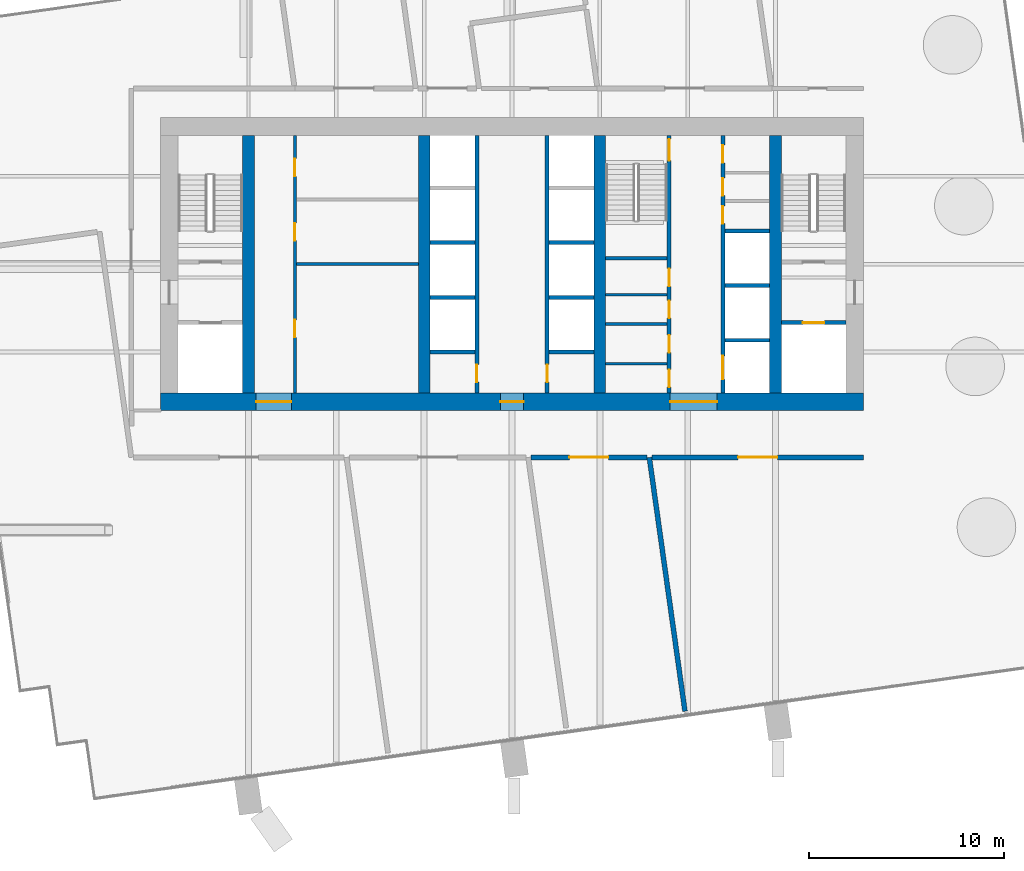
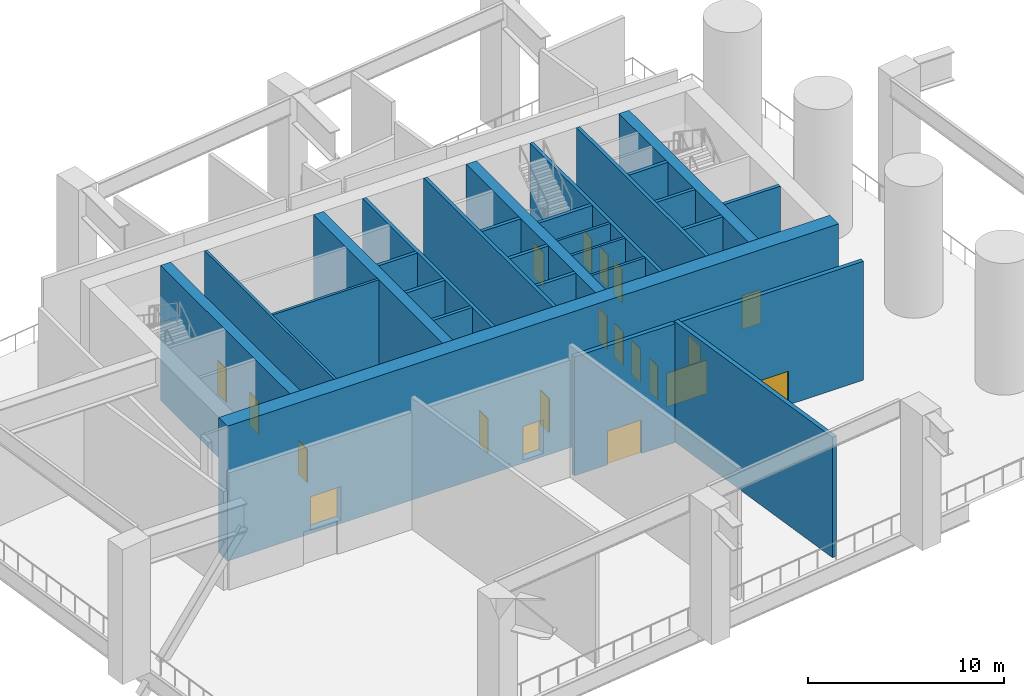
# One storey, part 3 of 13: 28 walls, 20 doors, 20 openings.
"""IFC4 building model written with IfcOpenShell, lengths in metres."""

from ifc_helpers import new_model, si_unit, direction, frame, frame_2d, origin, place, context, subcontext, project, spatial, rectangle, extrude, material, layer, layer_set, type_object, element, fill, save


model = new_model("IFC4")

# Units and contexts
model_context = context("Model", 3, precision=1e-05, world=origin(), true_north=direction((0.0, 1.0)))
body_context = subcontext(model_context, "Body", "Model", "MODEL_VIEW")
ifc_project = project(units=[si_unit("LENGTHUNIT", "METRE"), si_unit("AREAUNIT", "SQUARE_METRE"), si_unit("VOLUMEUNIT", "CUBIC_METRE"), si_unit("PLANEANGLEUNIT", "RADIAN"), si_unit("MASSUNIT", "GRAM", prefix="KILO")], contexts=[model_context])

# Site, building, storey
site_placement = place(None, origin())
site = spatial("IfcSite", under=ifc_project, at=site_placement, CompositionType="ELEMENT")
building_placement = place(site_placement, origin())
building = spatial("IfcBuilding", under=site, at=building_placement, Name="Rattan Terrace Tower", CompositionType="ELEMENT")
storey_placement = place(building_placement, frame((0.0, 0.0, 199.699951171875)))
storey = spatial("IfcBuildingStorey", under=building, at=storey_placement, Name="L46", CompositionType="ELEMENT", Elevation=199.699951171875)

# Wall, openings, doors
ifc_material_1 = material(Name="Gypsum board partition")
ifc_layer_1 = layer(ifc_material_1, 0.14990234375)
ifc_layer_set_1 = layer_set([ifc_layer_1], Name="Core partition 150")
wall_type_1 = type_object("IfcWallType", Name="Core partition 150", PredefinedType="PARTITIONING", material=ifc_layer_set_1)
wall_1_placement = place(storey_placement, frame((-11.125, -6.60009765625, 0.0), z_axis=(0.0, 0.0, 1.0), x_axis=(0.0, 1.0, 0.0)))
wall_1 = element("IfcWall", 1, at=wall_1_placement, inside=storey, type_object=wall_type_1, Name="Core room wall", PredefinedType="PARTITIONING", context=body_context, shape_type="SweptSolid", body=[
    extrude(rectangle(XDim=13.2001953125, YDim=0.14990234375, at=frame_2d((6.60009765625, 0.0))), origin(), (0.0, 0.0, 1.0), 8.199951171875),
])
opening_1_placement = place(wall_1_placement, frame((2.85009765625, 0.0, 0.0)))
opening_1 = element("IfcOpeningElement", 2, at=opening_1_placement, cuts=wall_1, Name="Opening L46-D005", PredefinedType="OPENING", context=body_context, shape_type="SweptSolid", body=[
    extrude(rectangle(XDim=0.89990234375, YDim=2.10009765625, at=frame_2d((0.449951171875, 1.050048828125))), frame((0.0, 0.08544921875, 0.0), z_axis=(0.0, -1.0, 0.0), x_axis=(1.0, 0.0, 0.0)), (0.0, 0.0, 1.0), 0.1708984375),
])
opening_2_placement = place(wall_1_placement, frame((7.800048828125, 0.0, 0.0)))
opening_2 = element("IfcOpeningElement", 3, at=opening_2_placement, cuts=wall_1, Name="Opening L46-D006", PredefinedType="OPENING", context=body_context, shape_type="SweptSolid", body=[
    extrude(rectangle(XDim=0.89990234375, YDim=2.10009765625, at=frame_2d((0.449951171875, 1.050048828125))), frame((0.0, 0.08544921875, 0.0), z_axis=(0.0, -1.0, 0.0), x_axis=(1.0, 0.0, 0.0)), (0.0, 0.0, 1.0), 0.1708984375),
])
opening_3_placement = place(wall_1_placement, frame((11.10009765625, 0.0, 0.0)))
opening_3 = element("IfcOpeningElement", 4, at=opening_3_placement, cuts=wall_1, Name="Opening L46-D007", PredefinedType="OPENING", context=body_context, shape_type="SweptSolid", body=[
    extrude(rectangle(XDim=0.89990234375, YDim=2.10009765625, at=frame_2d((0.449951171875, 1.050048828125))), frame((0.0, 0.08544921875, 0.0), z_axis=(0.0, -1.0, 0.0), x_axis=(1.0, 0.0, 0.0)), (0.0, 0.0, 1.0), 0.1708984375),
])
ifc_material_2 = material(Name="Hollow-metal fire door leaf")
door_type_1 = type_object("IfcDoorType", Name="Core service room door 900", OperationType="NOTDEFINED", PredefinedType="DOOR", material=ifc_material_2)
door_1_placement = place(opening_1_placement, origin())
door_1 = element("IfcDoor", 5, at=door_1_placement, inside=storey, type_object=door_type_1, Name="Door L46-D005", OperationType="SINGLE_SWING_LEFT", OverallHeight=2.10009765625, OverallWidth=0.89990234375, PredefinedType="DOOR", context=body_context, shape_type="SweptSolid", body=[
    extrude(rectangle(XDim=0.89990234375, YDim=2.10009765625, at=frame_2d((0.449951171875, 1.050048828125))), frame((0.0, 0.02490234375, 0.0), z_axis=(0.0, -1.0, 0.0), x_axis=(1.0, 0.0, 0.0)), (0.0, 0.0, 1.0), 0.050048828125),
])
fill(opening_1, door_1)
door_2_placement = place(opening_2_placement, origin())
door_2 = element("IfcDoor", 6, at=door_2_placement, inside=storey, type_object=door_type_1, Name="Door L46-D006", OperationType="SINGLE_SWING_RIGHT", OverallHeight=2.10009765625, OverallWidth=0.89990234375, PredefinedType="DOOR", context=body_context, shape_type="SweptSolid", body=[
    extrude(rectangle(XDim=0.89990234375, YDim=2.10009765625, at=frame_2d((0.449951171875, 1.050048828125))), frame((0.0, 0.02490234375, 0.0), z_axis=(0.0, -1.0, 0.0), x_axis=(1.0, 0.0, 0.0)), (0.0, 0.0, 1.0), 0.050048828125),
])
fill(opening_2, door_2)
door_3_placement = place(opening_3_placement, origin())
door_3 = element("IfcDoor", 7, at=door_3_placement, inside=storey, type_object=door_type_1, Name="Door L46-D007", OperationType="SINGLE_SWING_LEFT", OverallHeight=2.10009765625, OverallWidth=0.89990234375, PredefinedType="DOOR", context=body_context, shape_type="SweptSolid", body=[
    extrude(rectangle(XDim=0.89990234375, YDim=2.10009765625, at=frame_2d((0.449951171875, 1.050048828125))), frame((0.0, 0.02490234375, 0.0), z_axis=(0.0, -1.0, 0.0), x_axis=(1.0, 0.0, 0.0)), (0.0, 0.0, 1.0), 0.050048828125),
])
fill(opening_3, door_3)

# Walls
wall_2_placement = place(storey_placement, frame((-11.050048828125, 0.0, 0.0), z_axis=(0.0, 0.0, 1.0), x_axis=(1.0, 0.0, 0.0)))
element("IfcWall", 8, at=wall_2_placement, inside=storey, type_object=wall_type_1, Name="Core room wall", PredefinedType="PARTITIONING", context=body_context, shape_type="SweptSolid", body=[
    extrude(rectangle(XDim=6.25, YDim=0.14990234375, at=frame_2d((3.125, 0.0))), origin(), (0.0, 0.0, 1.0), 8.199951171875),
])
for number, where, z_axis, x_axis, name in (
    (9, (4.800048828125, -5.10400390625, 0.0), (0.0, 0.0, 1.0), (1.0, 0.0, 0.0), "Toilet wall"),
    (10, (4.800048828125, -3.06396484375, 0.0), (0.0, 0.0, 1.0), (1.0, 0.0, 0.0), "Toilet wall"),
    (11, (4.800048828125, -1.568115234375, 0.0), (0.0, 0.0, 1.0), (1.0, 0.0, 0.0), "Toilet wall"),
):
    element("IfcWall", number, at=place(storey_placement, frame(where, z_axis=z_axis, x_axis=x_axis)), inside=storey, type_object=wall_type_1, Name=name, PredefinedType="PARTITIONING", context=body_context, shape_type="SweptSolid", body=[
        extrude(rectangle(XDim=3.14990234375, YDim=0.14990234375, at=frame_2d((1.574951171875, 0.0))), origin(), (0.0, 0.0, 1.0), 8.199951171875),
    ])

# Wall, opening, door
ifc_material_3 = material(Name="Gypsum board partition")
ifc_layer_2 = layer(ifc_material_3, 0.199951171875)
ifc_layer_set_2 = layer_set([ifc_layer_2], Name="Core partition 200")
wall_type_2 = type_object("IfcWallType", Name="Core partition 200", PredefinedType="PARTITIONING", material=ifc_layer_set_2)
wall_3_placement = place(storey_placement, frame((13.800048828125, -3.0, 0.0), z_axis=(0.0, 0.0, 1.0), x_axis=(1.0, 0.0, 0.0)))
wall_3 = element("IfcWall", 12, at=wall_3_placement, inside=storey, type_object=wall_type_2, Name="Fire-fighting lobby wall", PredefinedType="PARTITIONING", context=body_context, shape_type="SweptSolid", body=[
    extrude(rectangle(XDim=3.300048828125, YDim=0.199951171875, at=frame_2d((1.64990234375, 0.0))), origin(), (0.0, 0.0, 1.0), 8.199951171875),
])
opening_4_placement = place(wall_3_placement, frame((1.10009765625, 0.0, 0.0)))
opening_4 = element("IfcOpeningElement", 13, at=opening_4_placement, cuts=wall_3, Name="Opening L46-LD-FF2", PredefinedType="OPENING", context=body_context, shape_type="SweptSolid", body=[
    extrude(rectangle(XDim=1.10009765625, YDim=2.10009765625, at=frame_2d((0.550048828125, 1.050048828125))), frame((0.0, 0.110595703125, 0.0), z_axis=(0.0, -1.0, 0.0), x_axis=(1.0, 0.0, 0.0)), (0.0, 0.0, 1.0), 0.220947265625),
])
ifc_material_4 = material(Name="Brushed stainless landing door panel")
door_type_2 = type_object("IfcDoorType", Name="Core lift landing door 1100", OperationType="DOUBLE_DOOR_SLIDING", PredefinedType="DOOR", material=ifc_material_4)
door_4_placement = place(opening_4_placement, origin())
door_4 = element("IfcDoor", 14, at=door_4_placement, inside=storey, type_object=door_type_2, Name="Door L46-LD-FF2", OperationType="DOUBLE_DOOR_SLIDING", OverallHeight=2.10009765625, OverallWidth=1.10009765625, PredefinedType="DOOR", context=body_context, shape_type="SweptSolid", body=[
    extrude(rectangle(XDim=1.10009765625, YDim=2.10009765625, at=frame_2d((0.550048828125, 1.050048828125))), frame((0.0, 0.02490234375, 0.0), z_axis=(0.0, -1.0, 0.0), x_axis=(1.0, 0.0, 0.0)), (0.0, 0.0, 1.0), 0.050048828125),
])
fill(opening_4, door_4)

# Wall, openings, doors
wall_4_placement = place(storey_placement, frame((8.050048828125, -6.60009765625, 0.0), z_axis=(0.0, 0.0, 1.0), x_axis=(0.0, 1.0, 0.0)))
wall_4 = element("IfcWall", 15, at=wall_4_placement, inside=storey, type_object=wall_type_2, Name="Lobby wall west", PredefinedType="PARTITIONING", context=body_context, shape_type="SweptSolid", body=[
    extrude(rectangle(XDim=13.2001953125, YDim=0.199951171875, at=frame_2d((6.60009765625, 0.0))), origin(), (0.0, 0.0, 1.0), 8.199951171875),
])
opening_5_placement = place(wall_4_placement, frame((0.298095703125, 0.0, 0.0)))
opening_5 = element("IfcOpeningElement", 16, at=opening_5_placement, cuts=wall_4, Name="Opening L46-D012", PredefinedType="OPENING", context=body_context, shape_type="SweptSolid", body=[
    extrude(rectangle(XDim=0.89990234375, YDim=2.10009765625, at=frame_2d((0.449951171875, 1.050048828125))), frame((0.0, 0.110595703125, 0.0), z_axis=(0.0, -1.0, 0.0), x_axis=(1.0, 0.0, 0.0)), (0.0, 0.0, 1.0), 0.220947265625),
])
opening_6_placement = place(wall_4_placement, frame((2.06591796875, 0.0, 0.0)))
opening_6 = element("IfcOpeningElement", 17, at=opening_6_placement, cuts=wall_4, Name="Opening L46-D013", PredefinedType="OPENING", context=body_context, shape_type="SweptSolid", body=[
    extrude(rectangle(XDim=0.89990234375, YDim=2.10009765625, at=frame_2d((0.449951171875, 1.050048828125))), frame((0.0, 0.110595703125, 0.0), z_axis=(0.0, -1.0, 0.0), x_axis=(1.0, 0.0, 0.0)), (0.0, 0.0, 1.0), 0.220947265625),
])
opening_7_placement = place(wall_4_placement, frame((3.833984375, 0.0, 0.0)))
opening_7 = element("IfcOpeningElement", 18, at=opening_7_placement, cuts=wall_4, Name="Opening L46-D014", PredefinedType="OPENING", context=body_context, shape_type="SweptSolid", body=[
    extrude(rectangle(XDim=0.89990234375, YDim=2.10009765625, at=frame_2d((0.449951171875, 1.050048828125))), frame((0.0, 0.110595703125, 0.0), z_axis=(0.0, -1.0, 0.0), x_axis=(1.0, 0.0, 0.0)), (0.0, 0.0, 1.0), 0.220947265625),
])
opening_8_placement = place(wall_4_placement, frame((5.466064453125, 0.0, 0.0)))
opening_8 = element("IfcOpeningElement", 19, at=opening_8_placement, cuts=wall_4, Name="Opening L46-D015", PredefinedType="OPENING", context=body_context, shape_type="SweptSolid", body=[
    extrude(rectangle(XDim=0.89990234375, YDim=2.10009765625, at=frame_2d((0.449951171875, 1.050048828125))), frame((0.0, 0.110595703125, 0.0), z_axis=(0.0, -1.0, 0.0), x_axis=(1.0, 0.0, 0.0)), (0.0, 0.0, 1.0), 0.220947265625),
])
opening_9_placement = place(wall_4_placement, frame((11.89990234375, 0.0, 0.0)))
opening_9 = element("IfcOpeningElement", 20, at=opening_9_placement, cuts=wall_4, Name="Opening L46-D016", PredefinedType="OPENING", context=body_context, shape_type="SweptSolid", body=[
    extrude(rectangle(XDim=1.10009765625, YDim=2.10009765625, at=frame_2d((0.550048828125, 1.050048828125))), frame((0.0, 0.110595703125, 0.0), z_axis=(0.0, -1.0, 0.0), x_axis=(1.0, 0.0, 0.0)), (0.0, 0.0, 1.0), 0.220947265625),
])
door_5_placement = place(opening_8_placement, origin())
door_5 = element("IfcDoor", 21, at=door_5_placement, inside=storey, type_object=door_type_1, Name="Door L46-D015", OperationType="SINGLE_SWING_LEFT", OverallHeight=2.10009765625, OverallWidth=0.89990234375, PredefinedType="DOOR", context=body_context, shape_type="SweptSolid", body=[
    extrude(rectangle(XDim=0.89990234375, YDim=2.10009765625, at=frame_2d((0.449951171875, 1.050048828125))), frame((0.0, 0.02490234375, 0.0), z_axis=(0.0, -1.0, 0.0), x_axis=(1.0, 0.0, 0.0)), (0.0, 0.0, 1.0), 0.050048828125),
])
fill(opening_8, door_5)
ifc_material_5 = material(Name="Hollow-metal fire door leaf")
door_type_3 = type_object("IfcDoorType", Name="Core stair door 1100", OperationType="NOTDEFINED", PredefinedType="DOOR", material=ifc_material_5)
door_6_placement = place(opening_9_placement, origin())
door_6 = element("IfcDoor", 22, at=door_6_placement, inside=storey, type_object=door_type_3, Name="Door L46-D016", OperationType="SINGLE_SWING_RIGHT", OverallHeight=2.10009765625, OverallWidth=1.10009765625, PredefinedType="DOOR", context=body_context, shape_type="SweptSolid", body=[
    extrude(rectangle(XDim=1.10009765625, YDim=2.10009765625, at=frame_2d((0.550048828125, 1.050048828125))), frame((0.0, 0.02490234375, 0.0), z_axis=(0.0, -1.0, 0.0), x_axis=(1.0, 0.0, 0.0)), (0.0, 0.0, 1.0), 0.050048828125),
])
fill(opening_9, door_6)
ifc_material_6 = material(Name="Hollow-metal fire door leaf")
door_type_4 = type_object("IfcDoorType", Name="Core toilet door 900", OperationType="NOTDEFINED", PredefinedType="DOOR", material=ifc_material_6)
door_7_placement = place(opening_5_placement, origin())
door_7 = element("IfcDoor", 23, at=door_7_placement, inside=storey, type_object=door_type_4, Name="Door L46-D012", OperationType="SINGLE_SWING_RIGHT", OverallHeight=2.10009765625, OverallWidth=0.89990234375, PredefinedType="DOOR", context=body_context, shape_type="SweptSolid", body=[
    extrude(rectangle(XDim=0.89990234375, YDim=2.10009765625, at=frame_2d((0.449951171875, 1.050048828125))), frame((0.0, 0.02490234375, 0.0), z_axis=(0.0, -1.0, 0.0), x_axis=(1.0, 0.0, 0.0)), (0.0, 0.0, 1.0), 0.050048828125),
])
fill(opening_5, door_7)
door_8_placement = place(opening_6_placement, origin())
door_8 = element("IfcDoor", 24, at=door_8_placement, inside=storey, type_object=door_type_4, Name="Door L46-D013", OperationType="SINGLE_SWING_LEFT", OverallHeight=2.10009765625, OverallWidth=0.89990234375, PredefinedType="DOOR", context=body_context, shape_type="SweptSolid", body=[
    extrude(rectangle(XDim=0.89990234375, YDim=2.10009765625, at=frame_2d((0.449951171875, 1.050048828125))), frame((0.0, 0.02490234375, 0.0), z_axis=(0.0, -1.0, 0.0), x_axis=(1.0, 0.0, 0.0)), (0.0, 0.0, 1.0), 0.050048828125),
])
fill(opening_6, door_8)
door_9_placement = place(opening_7_placement, origin())
door_9 = element("IfcDoor", 25, at=door_9_placement, inside=storey, type_object=door_type_4, Name="Door L46-D014", OperationType="SINGLE_SWING_RIGHT", OverallHeight=2.10009765625, OverallWidth=0.89990234375, PredefinedType="DOOR", context=body_context, shape_type="SweptSolid", body=[
    extrude(rectangle(XDim=0.89990234375, YDim=2.10009765625, at=frame_2d((0.449951171875, 1.050048828125))), frame((0.0, 0.02490234375, 0.0), z_axis=(0.0, -1.0, 0.0), x_axis=(1.0, 0.0, 0.0)), (0.0, 0.0, 1.0), 0.050048828125),
])
fill(opening_7, door_9)

# Wall
wall_5_placement = place(storey_placement, frame((4.800048828125, 0.300048828125, 0.0), z_axis=(0.0, 0.0, 1.0), x_axis=(1.0, 0.0, 0.0)))
element("IfcWall", 26, at=wall_5_placement, inside=storey, type_object=wall_type_2, Name="Stair enclosure wall", PredefinedType="PARTITIONING", context=body_context, shape_type="SweptSolid", body=[
    extrude(rectangle(XDim=3.14990234375, YDim=0.199951171875, at=frame_2d((1.574951171875, 0.0))), origin(), (0.0, 0.0, 1.0), 8.199951171875),
])

# Wall, openings, doors
ifc_material_7 = material(Name="Concrete C60/75", Category="concrete")
ifc_layer_3 = layer(ifc_material_7, 0.89990234375)
ifc_layer_set_3 = layer_set([ifc_layer_3], Name="Core ring wall 900 C60/75")
wall_type_3 = type_object("IfcWallType", Name="Core ring wall 900 C60/75", PredefinedType="SHEAR", material=ifc_layer_set_3)
wall_6_placement = place(storey_placement, frame((-18.0, -7.050048828125, -0.199951171875), z_axis=(0.0, 0.0, 1.0), x_axis=(1.0, 0.0, 0.0)))
wall_6 = element("IfcWall", 27, at=wall_6_placement, inside=storey, type_object=wall_type_3, Name="Rear core wall south", PredefinedType="SHEAR", context=body_context, shape_type="SweptSolid", body=[
    extrude(rectangle(XDim=36.0, YDim=0.89990234375, at=frame_2d((18.0, 0.0))), origin(), (0.0, 0.0, 1.0), 8.39990234375),
])
opening_10_placement = place(wall_6_placement, frame((4.89990234375, 0.0, 0.199951171875)))
opening_10 = element("IfcOpeningElement", 28, at=opening_10_placement, cuts=wall_6, Name="Opening L46-D008", PredefinedType="OPENING", context=body_context, shape_type="SweptSolid", body=[
    extrude(rectangle(XDim=1.800048828125, YDim=2.10009765625, at=frame_2d((0.89990234375, 1.050048828125))), frame((0.0, 0.46044921875, 0.0), z_axis=(0.0, -1.0, 0.0), x_axis=(1.0, 0.0, 0.0)), (0.0, 0.0, 1.0), 0.9208984375),
])
opening_11_placement = place(wall_6_placement, frame((17.39990234375, 0.0, 0.199951171875)))
opening_11 = element("IfcOpeningElement", 29, at=opening_11_placement, cuts=wall_6, Name="Opening L46-D011", PredefinedType="OPENING", context=body_context, shape_type="SweptSolid", body=[
    extrude(rectangle(XDim=1.199951171875, YDim=2.10009765625, at=frame_2d((0.60009765625, 1.050048828125))), frame((0.0, 0.46044921875, 0.0), z_axis=(0.0, -1.0, 0.0), x_axis=(1.0, 0.0, 0.0)), (0.0, 0.0, 1.0), 0.9208984375),
])
opening_12_placement = place(wall_6_placement, frame((26.10009765625, 0.0, 0.199951171875)))
opening_12 = element("IfcOpeningElement", 30, at=opening_12_placement, cuts=wall_6, Name="Opening L46-D017", PredefinedType="OPENING", context=body_context, shape_type="SweptSolid", body=[
    extrude(rectangle(XDim=2.39990234375, YDim=2.10009765625, at=frame_2d((1.199951171875, 1.050048828125))), frame((0.0, 0.46044921875, 0.0), z_axis=(0.0, -1.0, 0.0), x_axis=(1.0, 0.0, 0.0)), (0.0, 0.0, 1.0), 0.9208984375),
])
ifc_material_8 = material(Name="Hollow-metal fire door leaf")
door_type_5 = type_object("IfcDoorType", Name="Core lift lobby door 2400", OperationType="NOTDEFINED", PredefinedType="DOOR", material=ifc_material_8)
door_10_placement = place(opening_12_placement, origin())
door_10 = element("IfcDoor", 31, at=door_10_placement, inside=storey, type_object=door_type_5, Name="Door L46-D017", OperationType="DOUBLE_DOOR_DOUBLE_SWING", OverallHeight=2.10009765625, OverallWidth=2.39990234375, PredefinedType="DOOR", context=body_context, shape_type="SweptSolid", body=[
    extrude(rectangle(XDim=2.39990234375, YDim=2.10009765625, at=frame_2d((1.199951171875, 1.050048828125))), frame((0.0, 0.02490234375, 0.0), z_axis=(0.0, -1.0, 0.0), x_axis=(1.0, 0.0, 0.0)), (0.0, 0.0, 1.0), 0.050048828125),
])
fill(opening_12, door_10)
ifc_material_9 = material(Name="Hollow-metal fire door leaf")
door_type_6 = type_object("IfcDoorType", Name="Core riser door 1200", OperationType="NOTDEFINED", PredefinedType="DOOR", material=ifc_material_9)
door_11_placement = place(opening_11_placement, origin())
door_11 = element("IfcDoor", 32, at=door_11_placement, inside=storey, type_object=door_type_6, Name="Door L46-D011", OperationType="SINGLE_SWING_LEFT", OverallHeight=2.10009765625, OverallWidth=1.199951171875, PredefinedType="DOOR", context=body_context, shape_type="SweptSolid", body=[
    extrude(rectangle(XDim=1.199951171875, YDim=2.10009765625, at=frame_2d((0.60009765625, 1.050048828125))), frame((0.0, 0.02490234375, 0.0), z_axis=(0.0, -1.0, 0.0), x_axis=(1.0, 0.0, 0.0)), (0.0, 0.0, 1.0), 0.050048828125),
])
fill(opening_11, door_11)
ifc_material_10 = material(Name="Hollow-metal fire door leaf")
door_type_7 = type_object("IfcDoorType", Name="Core service room door 1800", OperationType="NOTDEFINED", PredefinedType="DOOR", material=ifc_material_10)
door_12_placement = place(opening_10_placement, origin())
door_12 = element("IfcDoor", 33, at=door_12_placement, inside=storey, type_object=door_type_7, Name="Door L46-D008", OperationType="SINGLE_SWING_RIGHT", OverallHeight=2.10009765625, OverallWidth=1.800048828125, PredefinedType="DOOR", context=body_context, shape_type="SweptSolid", body=[
    extrude(rectangle(XDim=1.800048828125, YDim=2.10009765625, at=frame_2d((0.89990234375, 1.050048828125))), frame((0.0, 0.02490234375, 0.0), z_axis=(0.0, -1.0, 0.0), x_axis=(1.0, 0.0, 0.0)), (0.0, 0.0, 1.0), 0.050048828125),
])
fill(opening_10, door_12)

# Walls
ifc_material_11 = material(Name="Concrete C60/75", Category="concrete")
ifc_layer_4 = layer(ifc_material_11, 0.60009765625)
ifc_layer_set_4 = layer_set([ifc_layer_4], Name="Core spine wall 600 C60/75")
wall_type_4 = type_object("IfcWallType", Name="Core spine wall 600 C60/75", PredefinedType="SHEAR", material=ifc_layer_set_4)
for number, where, z_axis, x_axis, name in (
    (34, (-13.5, -6.60009765625, -0.199951171875), (0.0, 0.0, 1.0), (0.0, 1.0, 0.0), "Core spine wall 1"),
    (35, (-4.5, -6.60009765625, -0.199951171875), (0.0, 0.0, 1.0), (0.0, 1.0, 0.0), "Core spine wall 2"),
    (36, (4.5, -6.60009765625, -0.199951171875), (0.0, 0.0, 1.0), (0.0, 1.0, 0.0), "Core spine wall 3"),
    (37, (13.5, -6.60009765625, -0.199951171875), (0.0, 0.0, 1.0), (0.0, 1.0, 0.0), "Core spine wall 4"),
):
    element("IfcWall", number, at=place(storey_placement, frame(where, z_axis=z_axis, x_axis=x_axis)), inside=storey, type_object=wall_type_4, Name=name, PredefinedType="SHEAR", context=body_context, shape_type="SweptSolid", body=[
        extrude(rectangle(XDim=13.2001953125, YDim=0.60009765625, at=frame_2d((6.60009765625, 0.0))), origin(), (0.0, 0.0, 1.0), 8.39990234375),
    ])

# Wall, opening, door
ifc_material_12 = material(Name="Reinforced concrete wall, painted", Category="concrete")
ifc_layer_5 = layer(ifc_material_12, 0.25)
ifc_layer_set_5 = layer_set([ifc_layer_5], Name="Floors Refuge Wall 250")
wall_type_5 = type_object("IfcWallType", Name="Floors Refuge Wall 250", PredefinedType="PARTITIONING", material=ifc_layer_set_5)
wall_7_placement = place(storey_placement, frame((6.908935546875, -9.89892578125, 0.0), z_axis=(0.0, 0.0, 1.0), x_axis=(-1.0, 0.0, 0.0)))
wall_7 = element("IfcWall", 38, at=wall_7_placement, inside=storey, type_object=wall_type_5, Name="pt-L46-004", PredefinedType="PARTITIONING", context=body_context, shape_type="SweptSolid", body=[
    extrude(rectangle(XDim=5.93603515625, YDim=0.25, at=frame_2d((2.968017578125, 0.0))), origin(), (0.0, 0.0, 1.0), 7.400146484375),
])
opening_13_placement = place(wall_7_placement, frame((1.968017578125, 0.0, 0.0)))
opening_13 = element("IfcOpeningElement", 39, at=opening_13_placement, cuts=wall_7, Name="Opening L46-D102", PredefinedType="OPENING", context=body_context, shape_type="SweptSolid", body=[
    extrude(rectangle(XDim=2.0, YDim=2.10009765625, at=frame_2d((1.0, 1.050048828125))), frame((0.0, 0.135498046875, 0.0), z_axis=(0.0, -1.0, 0.0), x_axis=(1.0, 0.0, 0.0)), (0.0, 0.0, 1.0), 0.27099609375),
])
ifc_material_13 = material(Name="Steel fire door set", Category="steel")
door_type_8 = type_object("IfcDoorType", Name="Floors Plant Equipment Door Pair FD120 2000x2100", OperationType="NOTDEFINED", PredefinedType="DOOR", material=ifc_material_13)
door_13_placement = place(opening_13_placement, origin())
door_13 = element("IfcDoor", 40, at=door_13_placement, inside=storey, type_object=door_type_8, Name="d-L46-102", OperationType="DOUBLE_DOOR_SINGLE_SWING", OverallHeight=2.10009765625, OverallWidth=2.0, PredefinedType="DOOR", context=body_context, shape_type="SweptSolid", body=[
    extrude(rectangle(XDim=2.0, YDim=2.10009765625, at=frame_2d((1.0, 1.050048828125))), frame((0.0, 0.02490234375, 0.0), z_axis=(0.0, -1.0, 0.0), x_axis=(1.0, 0.0, 0.0)), (0.0, 0.0, 1.0), 0.050048828125),
])
fill(opening_13, door_13)

wall_8_placement = place(storey_placement, frame((18.0, -9.89990234375, 0.0), z_axis=(0.0, 0.0, 1.0), x_axis=(-1.0, 0.0, 0.0)))
wall_8 = element("IfcWall", 41, at=wall_8_placement, inside=storey, type_object=wall_type_5, Name="pt-L46-005", PredefinedType="PARTITIONING", context=body_context, shape_type="SweptSolid", body=[
    extrude(rectangle(XDim=10.822998046875, YDim=0.25, at=frame_2d((5.41162109375, 0.0))), origin(), (0.0, 0.0, 1.0), 7.400146484375),
])
opening_14_placement = place(wall_8_placement, frame((4.412109375, 0.0, 0.0)))
opening_14 = element("IfcOpeningElement", 42, at=opening_14_placement, cuts=wall_8, Name="Opening L46-D103", PredefinedType="OPENING", context=body_context, shape_type="SweptSolid", body=[
    extrude(rectangle(XDim=2.0, YDim=2.10009765625, at=frame_2d((1.0, 1.050048828125))), frame((0.0, 0.135498046875, 0.0), z_axis=(0.0, -1.0, 0.0), x_axis=(1.0, 0.0, 0.0)), (0.0, 0.0, 1.0), 0.27099609375),
])
door_14_placement = place(opening_14_placement, origin())
door_14 = element("IfcDoor", 43, at=door_14_placement, inside=storey, type_object=door_type_8, Name="d-L46-103", OperationType="DOUBLE_DOOR_SINGLE_SWING", OverallHeight=2.10009765625, OverallWidth=2.0, PredefinedType="DOOR", context=body_context, shape_type="SweptSolid", body=[
    extrude(rectangle(XDim=2.0, YDim=2.10009765625, at=frame_2d((1.0, 1.050048828125))), frame((0.0, 0.02490234375, 0.0), z_axis=(0.0, -1.0, 0.0), x_axis=(1.0, 0.0, 0.0)), (0.0, 0.0, 1.0), 0.050048828125),
])
fill(opening_14, door_14)

# Wall
wall_9_placement = place(storey_placement, frame((7.032958984375, -9.89990234375, 0.0), z_axis=(0.0, 0.0, 1.0), x_axis=(0.139171632447, -0.990268275127, 0.0)))
element("IfcWall", 44, at=wall_9_placement, inside=storey, type_object=wall_type_5, Name="pt-L46-018", PredefinedType="PARTITIONING", context=body_context, shape_type="SweptSolid", body=[
    extrude(rectangle(XDim=13.128662109375, YDim=0.25, at=frame_2d((6.564453125, 0.0))), origin(), (0.0, 0.0, 1.0), 7.5),
])

# Wall, opening, door
ifc_material_14 = material(Name="Gypsum shaft wall system")
ifc_layer_6 = layer(ifc_material_14, 0.199951171875)
ifc_layer_set_6 = layer_set([ifc_layer_6], Name="Lift shaft wall 200")
wall_type_6 = type_object("IfcWallType", Name="Lift shaft wall 200", PredefinedType="PARTITIONING", material=ifc_layer_set_6)
wall_10_placement = place(storey_placement, frame((-1.800048828125, -6.60009765625, 0.0), z_axis=(0.0, 0.0, 1.0), x_axis=(0.0, 1.0, 0.0)))
wall_10 = element("IfcWall", 45, at=wall_10_placement, inside=storey, type_object=wall_type_6, Name="Lift shaft front wall", PredefinedType="PARTITIONING", context=body_context, shape_type="SweptSolid", body=[
    extrude(rectangle(XDim=13.2001953125, YDim=0.199951171875, at=frame_2d((6.60009765625, 0.0))), origin(), (0.0, 0.0, 1.0), 8.199951171875),
])
opening_15_placement = place(wall_10_placement, frame((0.550048828125, 0.0, 0.0)))
opening_15 = element("IfcOpeningElement", 46, at=opening_15_placement, cuts=wall_10, Name="Opening L46-D009", PredefinedType="OPENING", context=body_context, shape_type="SweptSolid", body=[
    extrude(rectangle(XDim=0.89990234375, YDim=2.10009765625, at=frame_2d((0.449951171875, 1.050048828125))), frame((0.0, 0.110595703125, 0.0), z_axis=(0.0, -1.0, 0.0), x_axis=(1.0, 0.0, 0.0)), (0.0, 0.0, 1.0), 0.220947265625),
])
ifc_material_15 = material(Name="Hollow-metal fire door leaf")
door_type_9 = type_object("IfcDoorType", Name="Core riser door 900", OperationType="NOTDEFINED", PredefinedType="DOOR", material=ifc_material_15)
door_15_placement = place(opening_15_placement, origin())
door_15 = element("IfcDoor", 47, at=door_15_placement, inside=storey, type_object=door_type_9, Name="Door L46-D009", OperationType="SINGLE_SWING_LEFT", OverallHeight=2.10009765625, OverallWidth=0.89990234375, PredefinedType="DOOR", context=body_context, shape_type="SweptSolid", body=[
    extrude(rectangle(XDim=0.89990234375, YDim=2.10009765625, at=frame_2d((0.449951171875, 1.050048828125))), frame((0.0, 0.02490234375, 0.0), z_axis=(0.0, -1.0, 0.0), x_axis=(1.0, 0.0, 0.0)), (0.0, 0.0, 1.0), 0.050048828125),
])
fill(opening_15, door_15)

wall_11_placement = place(storey_placement, frame((1.800048828125, -6.60009765625, 0.0), z_axis=(0.0, 0.0, 1.0), x_axis=(0.0, 1.0, 0.0)))
wall_11 = element("IfcWall", 48, at=wall_11_placement, inside=storey, type_object=wall_type_6, Name="Lift shaft front wall", PredefinedType="PARTITIONING", context=body_context, shape_type="SweptSolid", body=[
    extrude(rectangle(XDim=13.2001953125, YDim=0.199951171875, at=frame_2d((6.60009765625, 0.0))), origin(), (0.0, 0.0, 1.0), 8.199951171875),
])
opening_16_placement = place(wall_11_placement, frame((0.550048828125, 0.0, 0.0)))
opening_16 = element("IfcOpeningElement", 49, at=opening_16_placement, cuts=wall_11, Name="Opening L46-D010", PredefinedType="OPENING", context=body_context, shape_type="SweptSolid", body=[
    extrude(rectangle(XDim=0.89990234375, YDim=2.10009765625, at=frame_2d((0.449951171875, 1.050048828125))), frame((0.0, 0.110595703125, 0.0), z_axis=(0.0, -1.0, 0.0), x_axis=(1.0, 0.0, 0.0)), (0.0, 0.0, 1.0), 0.220947265625),
])
door_16_placement = place(opening_16_placement, origin())
door_16 = element("IfcDoor", 50, at=door_16_placement, inside=storey, type_object=door_type_9, Name="Door L46-D010", OperationType="SINGLE_SWING_RIGHT", OverallHeight=2.10009765625, OverallWidth=0.89990234375, PredefinedType="DOOR", context=body_context, shape_type="SweptSolid", body=[
    extrude(rectangle(XDim=0.89990234375, YDim=2.10009765625, at=frame_2d((0.449951171875, 1.050048828125))), frame((0.0, 0.02490234375, 0.0), z_axis=(0.0, -1.0, 0.0), x_axis=(1.0, 0.0, 0.0)), (0.0, 0.0, 1.0), 0.050048828125),
])
fill(opening_16, door_16)

# Walls
for number, where, z_axis, x_axis, name in (
    (51, (-4.199951171875, -1.699951171875, 0.0), (0.0, 0.0, 1.0), (1.0, 0.0, 0.0), "Lift shaft wall"),
    (52, (-4.199951171875, 1.10009765625, 0.0), (0.0, 0.0, 1.0), (1.0, 0.0, 0.0), "Lift shaft wall"),
    (53, (-4.199951171875, -4.5, 0.0), (0.0, 0.0, 1.0), (1.0, 0.0, 0.0), "Lift shaft wall"),
    (54, (1.89990234375, -1.699951171875, 0.0), (0.0, 0.0, 1.0), (1.0, 0.0, 0.0), "Lift shaft wall"),
    (55, (1.89990234375, 1.10009765625, 0.0), (0.0, 0.0, 1.0), (1.0, 0.0, 0.0), "Lift shaft wall"),
    (56, (1.89990234375, -4.5, 0.0), (0.0, 0.0, 1.0), (1.0, 0.0, 0.0), "Lift shaft wall"),
):
    element("IfcWall", number, at=place(storey_placement, frame(where, z_axis=z_axis, x_axis=x_axis)), inside=storey, type_object=wall_type_6, Name=name, PredefinedType="PARTITIONING", context=body_context, shape_type="SweptSolid", body=[
        extrude(rectangle(XDim=2.300048828125, YDim=0.199951171875, at=frame_2d((1.14990234375, 0.0))), origin(), (0.0, 0.0, 1.0), 8.199951171875),
    ])

# Wall, openings, doors
wall_12_placement = place(storey_placement, frame((10.800048828125, -6.60009765625, 0.0), z_axis=(0.0, 0.0, 1.0), x_axis=(0.0, 1.0, 0.0)))
wall_12 = element("IfcWall", 57, at=wall_12_placement, inside=storey, type_object=wall_type_6, Name="Lift shaft front wall", PredefinedType="PARTITIONING", context=body_context, shape_type="SweptSolid", body=[
    extrude(rectangle(XDim=13.2001953125, YDim=0.199951171875, at=frame_2d((6.60009765625, 0.0))), origin(), (0.0, 0.0, 1.0), 8.199951171875),
])
opening_17_placement = place(wall_12_placement, frame((0.699951171875, 0.0, 0.0)))
opening_17 = element("IfcOpeningElement", 58, at=opening_17_placement, cuts=wall_12, Name="Opening L46-LD-SV1", PredefinedType="OPENING", context=body_context, shape_type="SweptSolid", body=[
    extrude(rectangle(XDim=1.199951171875, YDim=2.10009765625, at=frame_2d((0.60009765625, 1.050048828125))), frame((0.0, 0.110595703125, 0.0), z_axis=(0.0, -1.0, 0.0), x_axis=(1.0, 0.0, 0.0)), (0.0, 0.0, 1.0), 0.220947265625),
])
opening_18_placement = place(wall_12_placement, frame((8.669921875, 0.0, 0.0)))
opening_18 = element("IfcOpeningElement", 59, at=opening_18_placement, cuts=wall_12, Name="Opening L46-D018", PredefinedType="OPENING", context=body_context, shape_type="SweptSolid", body=[
    extrude(rectangle(XDim=0.89990234375, YDim=2.10009765625, at=frame_2d((0.449951171875, 1.050048828125))), frame((0.0, 0.110595703125, 0.0), z_axis=(0.0, -1.0, 0.0), x_axis=(1.0, 0.0, 0.0)), (0.0, 0.0, 1.0), 0.220947265625),
])
opening_19_placement = place(wall_12_placement, frame((10.110107421875, 0.0, 0.0)))
opening_19 = element("IfcOpeningElement", 60, at=opening_19_placement, cuts=wall_12, Name="Opening L46-D019", PredefinedType="OPENING", context=body_context, shape_type="SweptSolid", body=[
    extrude(rectangle(XDim=0.89990234375, YDim=2.10009765625, at=frame_2d((0.449951171875, 1.050048828125))), frame((0.0, 0.110595703125, 0.0), z_axis=(0.0, -1.0, 0.0), x_axis=(1.0, 0.0, 0.0)), (0.0, 0.0, 1.0), 0.220947265625),
])
opening_20_placement = place(wall_12_placement, frame((11.7900390625, 0.0, 0.0)))
opening_20 = element("IfcOpeningElement", 61, at=opening_20_placement, cuts=wall_12, Name="Opening L46-D020", PredefinedType="OPENING", context=body_context, shape_type="SweptSolid", body=[
    extrude(rectangle(XDim=0.89990234375, YDim=2.10009765625, at=frame_2d((0.449951171875, 1.050048828125))), frame((0.0, 0.110595703125, 0.0), z_axis=(0.0, -1.0, 0.0), x_axis=(1.0, 0.0, 0.0)), (0.0, 0.0, 1.0), 0.220947265625),
])
ifc_material_16 = material(Name="Brushed stainless landing door panel")
door_type_10 = type_object("IfcDoorType", Name="Core lift landing door 1200", OperationType="DOUBLE_DOOR_SLIDING", PredefinedType="DOOR", material=ifc_material_16)
door_17_placement = place(opening_17_placement, origin())
door_17 = element("IfcDoor", 62, at=door_17_placement, inside=storey, type_object=door_type_10, Name="Door L46-LD-SV1", OperationType="DOUBLE_DOOR_SLIDING", OverallHeight=2.10009765625, OverallWidth=1.199951171875, PredefinedType="DOOR", context=body_context, shape_type="SweptSolid", body=[
    extrude(rectangle(XDim=1.199951171875, YDim=2.10009765625, at=frame_2d((0.60009765625, 1.050048828125))), frame((0.0, 0.02490234375, 0.0), z_axis=(0.0, -1.0, 0.0), x_axis=(1.0, 0.0, 0.0)), (0.0, 0.0, 1.0), 0.050048828125),
])
fill(opening_17, door_17)
door_18_placement = place(opening_18_placement, origin())
door_18 = element("IfcDoor", 63, at=door_18_placement, inside=storey, type_object=door_type_9, Name="Door L46-D018", OperationType="SINGLE_SWING_LEFT", OverallHeight=2.10009765625, OverallWidth=0.89990234375, PredefinedType="DOOR", context=body_context, shape_type="SweptSolid", body=[
    extrude(rectangle(XDim=0.89990234375, YDim=2.10009765625, at=frame_2d((0.449951171875, 1.050048828125))), frame((0.0, 0.02490234375, 0.0), z_axis=(0.0, -1.0, 0.0), x_axis=(1.0, 0.0, 0.0)), (0.0, 0.0, 1.0), 0.050048828125),
])
fill(opening_18, door_18)
door_19_placement = place(opening_19_placement, origin())
door_19 = element("IfcDoor", 64, at=door_19_placement, inside=storey, type_object=door_type_9, Name="Door L46-D019", OperationType="SINGLE_SWING_RIGHT", OverallHeight=2.10009765625, OverallWidth=0.89990234375, PredefinedType="DOOR", context=body_context, shape_type="SweptSolid", body=[
    extrude(rectangle(XDim=0.89990234375, YDim=2.10009765625, at=frame_2d((0.449951171875, 1.050048828125))), frame((0.0, 0.02490234375, 0.0), z_axis=(0.0, -1.0, 0.0), x_axis=(1.0, 0.0, 0.0)), (0.0, 0.0, 1.0), 0.050048828125),
])
fill(opening_19, door_19)
door_20_placement = place(opening_20_placement, origin())
door_20 = element("IfcDoor", 65, at=door_20_placement, inside=storey, type_object=door_type_1, Name="Door L46-D020", OperationType="SINGLE_SWING_LEFT", OverallHeight=2.10009765625, OverallWidth=0.89990234375, PredefinedType="DOOR", context=body_context, shape_type="SweptSolid", body=[
    extrude(rectangle(XDim=0.89990234375, YDim=2.10009765625, at=frame_2d((0.449951171875, 1.050048828125))), frame((0.0, 0.02490234375, 0.0), z_axis=(0.0, -1.0, 0.0), x_axis=(1.0, 0.0, 0.0)), (0.0, 0.0, 1.0), 0.050048828125),
])
fill(opening_20, door_20)

# Walls
for number, where, z_axis, x_axis, name in (
    (66, (10.89990234375, -3.89990234375, 0.0), (0.0, 0.0, 1.0), (1.0, 0.0, 0.0), "Lift shaft wall"),
    (67, (10.89990234375, -1.10009765625, 0.0), (0.0, 0.0, 1.0), (1.0, 0.0, 0.0), "Lift shaft wall"),
    (68, (10.89990234375, 1.699951171875, 0.0), (0.0, 0.0, 1.0), (1.0, 0.0, 0.0), "Lift shaft wall"),
):
    element("IfcWall", number, at=place(storey_placement, frame(where, z_axis=z_axis, x_axis=x_axis)), inside=storey, type_object=wall_type_6, Name=name, PredefinedType="PARTITIONING", context=body_context, shape_type="SweptSolid", body=[
        extrude(rectangle(XDim=2.300048828125, YDim=0.199951171875, at=frame_2d((1.14990234375, 0.0))), origin(), (0.0, 0.0, 1.0), 8.199951171875),
    ])

save(model, "model.ifc")
